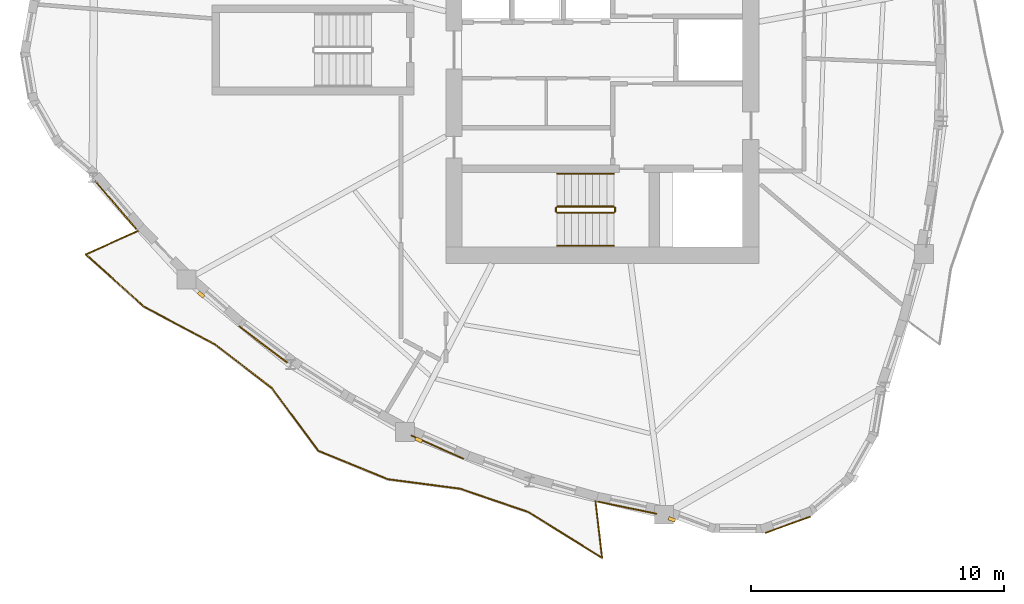
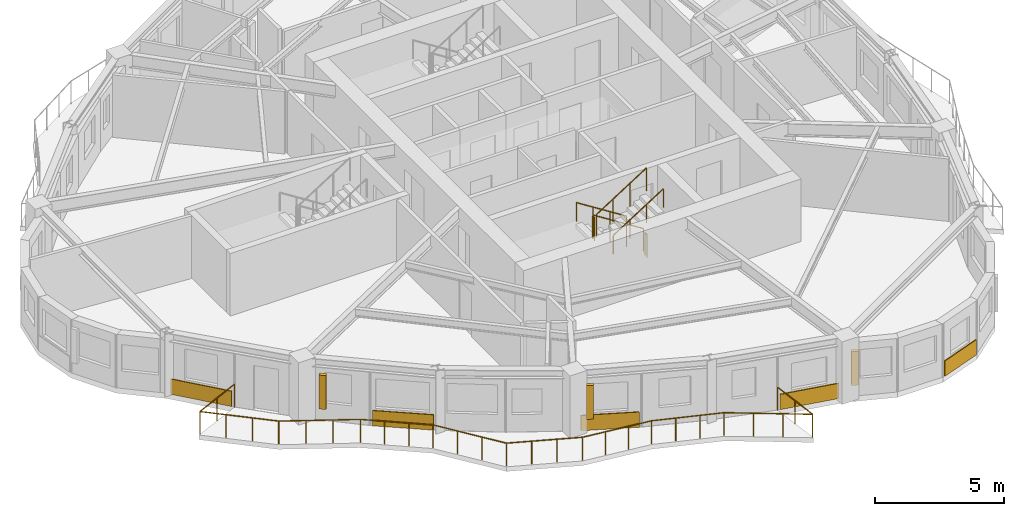
# One storey, part 8 of 11: 7 railings, 5 coverings, 3 shading devices.
"""IFC4 building model written with IfcOpenShell, lengths in metres."""

from ifc_helpers import new_model, si_unit, direction, frame, origin, origin_2d, place, context, subcontext, project, spatial, rectangle, circle, extrude, source, transform, mapped, material, layer, layer_set, type_object, element, save


model = new_model("IFC4")

# Units and contexts
model_context = context("Model", 3, precision=1e-05, world=origin(), true_north=direction((0.0, 1.0)))
body_context = subcontext(model_context, "Body", "Model", "MODEL_VIEW")
ifc_project = project(units=[si_unit("LENGTHUNIT", "METRE"), si_unit("AREAUNIT", "SQUARE_METRE"), si_unit("VOLUMEUNIT", "CUBIC_METRE"), si_unit("PLANEANGLEUNIT", "RADIAN"), si_unit("MASSUNIT", "GRAM", prefix="KILO")], contexts=[model_context])

# Site, building, storey
site_placement = place(None, origin())
site = spatial("IfcSite", under=ifc_project, at=site_placement, CompositionType="ELEMENT")
building_placement = place(site_placement, origin())
building = spatial("IfcBuilding", under=site, at=building_placement, Name="Qafzar Sky-Pleat Residences", CompositionType="ELEMENT")
storey_placement = place(building_placement, frame((0.0, 0.0, 168.199951171875)))
storey = spatial("IfcBuildingStorey", under=building, at=storey_placement, Name="L50", CompositionType="ELEMENT", Elevation=168.199951171875)

# Shading devices
ifc_material_1 = material(Name="Honed Riyadh limestone solar fin", Category="masonry")
ifc_layer_1 = layer(ifc_material_1, 0.139892578125)
ifc_layer_set_1 = layer_set([ifc_layer_1], Name="Honed Riyadh limestone solar fin")
shading_device_type = type_object("IfcShadingDeviceType", Name="SHD-FIN-STONE", PredefinedType="SHUTTER", material=ifc_layer_set_1)
shared_shape_1 = source(origin(), body_context, "Body", "SweptSolid", [
    extrude(rectangle(XDim=0.139892578125, YDim=0.280029296875, at=origin_2d()), origin(), (0.0, 0.0, 1.0), 1.60009765625),
])
for number, where, z_axis, x_axis, name in (
    (1, (14.465576171875, 16.3134765625, 0.60009765625), (0.0, 0.0, 1.0), (-0.660161310777, -0.751123853804, 0.0), "L50 Limestone Solar Fin 9"),
    (2, (23.079833984375, 10.56201171875, 0.60009765625), (0.0, 0.0, 1.0), (-0.407531944701, -0.91319095158, 0.0), "L50 Limestone Solar Fin 13"),
    (3, (33.09765625, 7.418212890625, 0.60009765625), (0.0, 0.0, 1.0), (-0.349591808799, -0.936902111867, 0.0), "L50 Limestone Solar Fin 17"),
):
    element("IfcShadingDevice", number, at=place(storey_placement, frame(where, z_axis=z_axis, x_axis=x_axis)), inside=storey, type_object=shading_device_type, Name=name, PredefinedType="SHUTTER", context=body_context, shape_type="MappedRepresentation", body=[
        mapped(shared_shape_1, transform((0.0, 0.0, 0.0), x_axis=(1.0, 0.0, 0.0), y_axis=(0.0, 1.0, 0.0), z_axis=(0.0, 0.0, 1.0), scale=1.0)),
    ])

# Covering
ifc_material_2 = material(Name="Honed Riyadh Tuwaiq limestone cladding", Category="masonry")
ifc_layer_2 = layer(ifc_material_2, 0.044921875)
ifc_layer_set_2 = layer_set([ifc_layer_2], Name="Honed Riyadh Tuwaiq limestone cladding")
covering_type = type_object("IfcCoveringType", Name="COV-CLAD-STONE", PredefinedType="CLADDING", material=ifc_layer_set_2)
shared_shape_2 = source(origin(), body_context, "Body", "SweptSolid", [
    extrude(rectangle(XDim=1.89794921875, YDim=0.044921875, at=origin_2d()), origin(), (0.0, 0.0, 1.0), 0.719970703125),
])
covering_1_placement = place(storey_placement, frame((37.690185546875, 7.207275390625, 0.02001953125), z_axis=(0.0, 0.0, 1.0), x_axis=(0.940231559433, 0.340535775867, 0.0)))
element("IfcCovering", 4, at=covering_1_placement, inside=storey, type_object=covering_type, Name="L50 Riyadh Limestone Spandrel Cladding 19", PredefinedType="CLADDING", context=body_context, shape_type="MappedRepresentation", body=[
    mapped(shared_shape_2, transform((0.0, 0.0, 0.0), x_axis=(1.0, 0.0, 0.0), y_axis=(0.0, 1.0, 0.0), z_axis=(0.0, 0.0, 1.0), scale=1.0)),
])

# Railing
ifc_material_3 = material(Name="Laminated glass and bronze steel balustrade", Category="steel")
railing_type_1 = type_object("IfcRailingType", Name="RAIL-BAL-1100", PredefinedType="BALUSTRADE", material=ifc_material_3)
shared_shape_3 = source(origin(), body_context, "Body", "SweptSolid", [
    extrude(circle(Radius=0.02392578125, at=origin_2d()), frame((0.0, 0.0, 1.076171875), z_axis=(-0.912922636526, -0.408132649659, 0.0), x_axis=(0.408132649659, -0.912922636526, 0.0)), (0.0, 0.0, 1.0), 2.270751953125),
    extrude(circle(Radius=0.02392578125, at=origin_2d()), frame((-2.072998046875, -0.9267578125, 1.076171875), z_axis=(0.743753716081, -0.668453745458, 0.0), x_axis=(0.668453745458, 0.743753716081, 0.0)), (0.0, 0.0, 1.0), 3.11572265625),
    extrude(circle(Radius=0.02392578125, at=origin_2d()), frame((0.244384765625, -3.009521484375, 1.076171875), z_axis=(0.883585037441, -0.468270735376, 0.0), x_axis=(0.468270735376, 0.883585037441, 0.0)), (0.0, 0.0, 1.0), 3.16259765625),
    extrude(circle(Radius=0.02392578125, at=origin_2d()), frame((3.038818359375, -4.490478515625, 1.076171875), z_axis=(0.793401199047, -0.608699053187, 0.0), x_axis=(0.608699053187, 0.793401199047, 0.0)), (0.0, 0.0, 1.0), 2.835205078125),
    extrude(circle(Radius=0.02392578125, at=origin_2d()), frame((5.288330078125, -6.21630859375, 1.076171875), z_axis=(0.594930822966, -0.803776906788, 0.0), x_axis=(0.803776906788, 0.594930822966, 0.0)), (0.0, 0.0, 1.0), 3.089599609375),
    extrude(circle(Radius=0.02392578125, at=origin_2d()), frame((7.12646484375, -8.69970703125, 1.076171875), z_axis=(0.925110963118, -0.379696860561, 0.0), x_axis=(0.379696860561, 0.925110963118, 0.0)), (0.0, 0.0, 1.0), 2.974365234375),
    extrude(circle(Radius=0.02392578125, at=origin_2d()), frame((9.878173828125, -9.8291015625, 1.076171875), z_axis=(0.991578756407, -0.129505095813, 0.0), x_axis=(0.129505095813, 0.991578756407, 0.0)), (0.0, 0.0, 1.0), 2.893798828125),
    extrude(circle(Radius=0.02392578125, at=origin_2d()), frame((12.74755859375, -10.203857421875, 1.076171875), z_axis=(0.945899410668, -0.324460020493, 0.0), x_axis=(0.324460020493, 0.945899410668, 0.0)), (0.0, 0.0, 1.0), 2.851806640625),
    extrude(circle(Radius=0.02392578125, at=origin_2d()), frame((15.445068359375, -11.129150390625, 1.076171875), z_axis=(0.849532496747, -0.52753628972, 0.0), x_axis=(0.52753628972, 0.849532496747, 0.0)), (0.0, 0.0, 1.0), 3.433837890625),
    extrude(circle(Radius=0.02392578125, at=origin_2d()), frame((18.3623046875, -12.940673828125, 1.076171875), z_axis=(-0.11536270651, 0.993323434711, 0.0), x_axis=(-0.993323434711, -0.11536270651, 0.0)), (0.0, 0.0, 1.0), 2.270751953125),
    extrude(circle(Radius=0.02099609375, at=origin_2d()), origin(), (0.0, 0.0, 1.0), 1.052001953125),
    extrude(circle(Radius=0.02099609375, at=origin_2d()), frame((-1.03662109375, -0.46337890625, 0.0)), (0.0, 0.0, 1.0), 1.052001953125),
    extrude(circle(Radius=0.02099609375, at=origin_2d()), frame((-2.072998046875, -0.9267578125, 0.0)), (0.0, 0.0, 1.0), 1.052001953125),
    extrude(circle(Radius=0.02099609375, at=origin_2d()), frame((-1.300537109375, -1.62109375, 0.0)), (0.0, 0.0, 1.0), 1.052001953125),
    extrude(circle(Radius=0.02099609375, at=origin_2d()), frame((-0.528076171875, -2.315185546875, 0.0)), (0.0, 0.0, 1.0), 1.052001953125),
    extrude(circle(Radius=0.02099609375, at=origin_2d()), frame((0.244384765625, -3.009521484375, 0.0)), (0.0, 0.0, 1.0), 1.052001953125),
    extrude(circle(Radius=0.02099609375, at=origin_2d()), frame((1.17578125, -3.503173828125, 0.0)), (0.0, 0.0, 1.0), 1.052001953125),
    extrude(circle(Radius=0.02099609375, at=origin_2d()), frame((2.107421875, -3.996826171875, 0.0)), (0.0, 0.0, 1.0), 1.052001953125),
    extrude(circle(Radius=0.02099609375, at=origin_2d()), frame((3.038818359375, -4.490478515625, 0.0)), (0.0, 0.0, 1.0), 1.052001953125),
    extrude(circle(Radius=0.02099609375, at=origin_2d()), frame((3.78857421875, -5.065673828125, 0.0)), (0.0, 0.0, 1.0), 1.052001953125),
    extrude(circle(Radius=0.02099609375, at=origin_2d()), frame((4.53857421875, -5.64111328125, 0.0)), (0.0, 0.0, 1.0), 1.052001953125),
    extrude(circle(Radius=0.02099609375, at=origin_2d()), frame((5.288330078125, -6.21630859375, 0.0)), (0.0, 0.0, 1.0), 1.052001953125),
    extrude(circle(Radius=0.02099609375, at=origin_2d()), frame((5.901123046875, -7.044189453125, 0.0)), (0.0, 0.0, 1.0), 1.052001953125),
    extrude(circle(Radius=0.02099609375, at=origin_2d()), frame((6.513671875, -7.871826171875, 0.0)), (0.0, 0.0, 1.0), 1.052001953125),
    extrude(circle(Radius=0.02099609375, at=origin_2d()), frame((7.12646484375, -8.69970703125, 0.0)), (0.0, 0.0, 1.0), 1.052001953125),
    extrude(circle(Radius=0.02099609375, at=origin_2d()), frame((8.043701171875, -9.076171875, 0.0)), (0.0, 0.0, 1.0), 1.052001953125),
    extrude(circle(Radius=0.02099609375, at=origin_2d()), frame((8.9609375, -9.45263671875, 0.0)), (0.0, 0.0, 1.0), 1.052001953125),
    extrude(circle(Radius=0.02099609375, at=origin_2d()), frame((9.878173828125, -9.8291015625, 0.0)), (0.0, 0.0, 1.0), 1.052001953125),
    extrude(circle(Radius=0.02099609375, at=origin_2d()), frame((10.834716796875, -9.9541015625, 0.0)), (0.0, 0.0, 1.0), 1.052001953125),
    extrude(circle(Radius=0.02099609375, at=origin_2d()), frame((11.791015625, -10.078857421875, 0.0)), (0.0, 0.0, 1.0), 1.052001953125),
    extrude(circle(Radius=0.02099609375, at=origin_2d()), frame((12.74755859375, -10.203857421875, 0.0)), (0.0, 0.0, 1.0), 1.052001953125),
    extrude(circle(Radius=0.02099609375, at=origin_2d()), frame((13.646728515625, -10.51220703125, 0.0)), (0.0, 0.0, 1.0), 1.052001953125),
    extrude(circle(Radius=0.02099609375, at=origin_2d()), frame((14.5458984375, -10.82080078125, 0.0)), (0.0, 0.0, 1.0), 1.052001953125),
    extrude(circle(Radius=0.02099609375, at=origin_2d()), frame((15.445068359375, -11.129150390625, 0.0)), (0.0, 0.0, 1.0), 1.052001953125),
    extrude(circle(Radius=0.02099609375, at=origin_2d()), frame((16.41748046875, -11.73291015625, 0.0)), (0.0, 0.0, 1.0), 1.052001953125),
    extrude(circle(Radius=0.02099609375, at=origin_2d()), frame((17.389892578125, -12.3369140625, 0.0)), (0.0, 0.0, 1.0), 1.052001953125),
    extrude(circle(Radius=0.02099609375, at=origin_2d()), frame((18.3623046875, -12.940673828125, 0.0)), (0.0, 0.0, 1.0), 1.052001953125),
    extrude(circle(Radius=0.02099609375, at=origin_2d()), frame((18.2314453125, -11.81298828125, 0.0)), (0.0, 0.0, 1.0), 1.052001953125),
    extrude(circle(Radius=0.02099609375, at=origin_2d()), frame((18.100341796875, -10.68505859375, 0.0)), (0.0, 0.0, 1.0), 1.052001953125),
])
railing_1_placement = place(storey_placement, frame((11.973388671875, 18.8369140625, 0.0)))
element("IfcRailing", 5, at=railing_1_placement, inside=storey, type_object=railing_type_1, Name="L50 Pleated Balcony 3 Balustrade", PredefinedType="BALUSTRADE", context=body_context, shape_type="MappedRepresentation", body=[
    mapped(shared_shape_3, transform((0.0, 0.0, 0.0), x_axis=(1.0, 0.0, 0.0), y_axis=(0.0, 1.0, 0.0), z_axis=(0.0, 0.0, 1.0), scale=1.0)),
])

# Coverings
shared_shape_4 = source(origin(), body_context, "Body", "SweptSolid", [
    extrude(rectangle(XDim=2.513671875, YDim=0.044921875, at=origin_2d()), origin(), (0.0, 0.0, 1.0), 0.719970703125),
])
covering_2_placement = place(storey_placement, frame((11.08447265625, 19.859375, 0.02001953125), z_axis=(0.0, 0.0, 1.0), x_axis=(0.650295858087, -0.75968104949, 0.0)))
element("IfcCovering", 6, at=covering_2_placement, inside=storey, type_object=covering_type, Name="L50 Riyadh Limestone Spandrel Cladding 7", PredefinedType="CLADDING", context=body_context, shape_type="MappedRepresentation", body=[
    mapped(shared_shape_4, transform((0.0, 0.0, 0.0), x_axis=(1.0, 0.0, 0.0), y_axis=(0.0, 1.0, 0.0), z_axis=(0.0, 0.0, 1.0), scale=1.0)),
])
shared_shape_5 = source(origin(), body_context, "Body", "SweptSolid", [
    extrude(rectangle(XDim=2.39453125, YDim=0.044921875, at=origin_2d()), origin(), (0.0, 0.0, 1.0), 0.719970703125),
])
covering_3_placement = place(storey_placement, frame((16.915771484375, 14.344970703125, 0.02001953125), z_axis=(0.0, 0.0, 1.0), x_axis=(0.798011120233, -0.602642723332, 0.0)))
element("IfcCovering", 7, at=covering_3_placement, inside=storey, type_object=covering_type, Name="L50 Riyadh Limestone Spandrel Cladding 10", PredefinedType="CLADDING", context=body_context, shape_type="MappedRepresentation", body=[
    mapped(shared_shape_5, transform((0.0, 0.0, 0.0), x_axis=(1.0, 0.0, 0.0), y_axis=(0.0, 1.0, 0.0), z_axis=(0.0, 0.0, 1.0), scale=1.0)),
])
shared_shape_6 = source(origin(), body_context, "Body", "SweptSolid", [
    extrude(rectangle(XDim=2.27294921875, YDim=0.044921875, at=origin_2d()), origin(), (0.0, 0.0, 1.0), 0.719970703125),
])
covering_4_placement = place(storey_placement, frame((23.814208984375, 10.281494140625, 0.02001953125), z_axis=(0.0, 0.0, 1.0), x_axis=(0.913196566474, -0.407519362705, 0.0)))
element("IfcCovering", 8, at=covering_4_placement, inside=storey, type_object=covering_type, Name="L50 Riyadh Limestone Spandrel Cladding 13", PredefinedType="CLADDING", context=body_context, shape_type="MappedRepresentation", body=[
    mapped(shared_shape_6, transform((0.0, 0.0, 0.0), x_axis=(1.0, 0.0, 0.0), y_axis=(0.0, 1.0, 0.0), z_axis=(0.0, 0.0, 1.0), scale=1.0)),
])
shared_shape_7 = source(origin(), body_context, "Body", "SweptSolid", [
    extrude(rectangle(XDim=2.39208984375, YDim=0.044921875, at=origin_2d()), origin(), (0.0, 0.0, 1.0), 0.719970703125),
])
covering_5_placement = place(storey_placement, frame((31.33203125, 7.881103515625, 0.02001953125), z_axis=(0.0, 0.0, 1.0), x_axis=(0.979307497753, -0.202377925784, 0.0)))
element("IfcCovering", 9, at=covering_5_placement, inside=storey, type_object=covering_type, Name="L50 Riyadh Limestone Spandrel Cladding 16", PredefinedType="CLADDING", context=body_context, shape_type="MappedRepresentation", body=[
    mapped(shared_shape_7, transform((0.0, 0.0, 0.0), x_axis=(1.0, 0.0, 0.0), y_axis=(0.0, 1.0, 0.0), z_axis=(0.0, 0.0, 1.0), scale=1.0)),
])

# Railings
ifc_material_4 = material(Name="Painted Steel S355 stair guardrail", Category="steel")
railing_type_2 = type_object("IfcRailingType", Name="RAIL-STAIR-GUARD", PredefinedType="GUARDRAIL", material=ifc_material_4)
shared_shape_8 = source(origin(), body_context, "Body", "SweptSolid", [
    extrude(circle(Radius=0.02392578125, at=origin_2d()), frame((0.0, 0.0, 1.076171875), z_axis=(0.0, -1.0, 0.0), x_axis=(1.0, 0.0, 0.0)), (0.0, 0.0, 1.0), 0.14990234375),
    extrude(circle(Radius=0.02099609375, at=origin_2d()), origin(), (0.0, 0.0, 1.0), 1.052001953125),
    extrude(circle(Radius=0.02099609375, at=origin_2d()), frame((0.0, -0.14990234375, 0.0)), (0.0, 0.0, 1.0), 1.052001953125),
])
for number, where, name in (
    (10, (28.510009765625, 19.75, 1.60009765625), "L50 ST1 stair guard 2"),
    (11, (30.85009765625, 19.75, 0.0), "L50 ST1 stair guard 4"),
):
    element("IfcRailing", number, at=place(storey_placement, frame(where)), inside=storey, type_object=railing_type_2, Name=name, PredefinedType="GUARDRAIL", context=body_context, shape_type="MappedRepresentation", body=[
        mapped(shared_shape_8, transform((0.0, 0.0, 0.0), x_axis=(1.0, 0.0, 0.0), y_axis=(0.0, 1.0, 0.0), z_axis=(0.0, 0.0, 1.0), scale=1.0)),
    ])
shared_shape_9 = source(origin(), body_context, "Body", "SweptSolid", [
    extrude(circle(Radius=0.02392578125, at=origin_2d()), frame((0.0, 0.0, 1.076171875), z_axis=(0.8442293374, 0.0, 0.53598211339), x_axis=(0.0, 1.0, 0.0)), (0.0, 0.0, 1.0), 2.6533203125),
    extrude(circle(Radius=0.02099609375, at=origin_2d()), origin(), (0.0, 0.0, 1.0), 1.052001953125),
    extrude(circle(Radius=0.02099609375, at=origin_2d()), frame((0.74658203125, 0.0, 0.47412109375)), (0.0, 0.0, 1.0), 1.052001953125),
    extrude(circle(Radius=0.02099609375, at=origin_2d()), frame((1.493408203125, 0.0, 0.947998046875)), (0.0, 0.0, 1.0), 1.052001953125),
    extrude(circle(Radius=0.02099609375, at=origin_2d()), frame((2.239990234375, 0.0, 1.422119140625)), (0.0, 0.0, 1.0), 1.052001953125),
])
railing_2_placement = place(storey_placement, frame((28.56005859375, 19.550048828125, 1.77783203125)))
element("IfcRailing", 12, at=railing_2_placement, inside=storey, type_object=railing_type_2, Name="L50 ST1 stair guard 3", PredefinedType="GUARDRAIL", context=body_context, shape_type="MappedRepresentation", body=[
    mapped(shared_shape_9, transform((0.0, 0.0, 0.0), x_axis=(1.0, 0.0, 0.0), y_axis=(0.0, 1.0, 0.0), z_axis=(0.0, 0.0, 1.0), scale=1.0)),
])
ifc_material_5 = material(Name="Brushed stainless steel handrail", Category="steel")
railing_type_3 = type_object("IfcRailingType", Name="RAIL-STAIR-HAND", PredefinedType="HANDRAIL", material=ifc_material_5)
shared_shape_10 = source(origin(), body_context, "Body", "SweptSolid", [
    extrude(circle(Radius=0.02392578125, at=origin_2d()), frame((0.0, 0.0, 0.8759765625), z_axis=(0.8442293374, 0.0, 0.53598211339), x_axis=(0.0, 1.0, 0.0)), (0.0, 0.0, 1.0), 2.6533203125),
    extrude(circle(Radius=0.02099609375, at=origin_2d()), origin(), (0.0, 0.0, 1.0), 0.851806640625),
    extrude(circle(Radius=0.02099609375, at=origin_2d()), frame((0.74658203125, 0.0, 0.47412109375)), (0.0, 0.0, 1.0), 0.851806640625),
    extrude(circle(Radius=0.02099609375, at=origin_2d()), frame((1.493408203125, 0.0, 0.947998046875)), (0.0, 0.0, 1.0), 0.851806640625),
    extrude(circle(Radius=0.02099609375, at=origin_2d()), frame((2.239990234375, 0.0, 1.422119140625)), (0.0, 0.0, 1.0), 0.851806640625),
])
railing_3_placement = place(storey_placement, frame((28.56005859375, 18.25, 1.77783203125)))
element("IfcRailing", 13, at=railing_3_placement, inside=storey, type_object=railing_type_3, Name="L50 ST1 stair handrail 2", PredefinedType="HANDRAIL", context=body_context, shape_type="MappedRepresentation", body=[
    mapped(shared_shape_10, transform((0.0, 0.0, 0.0), x_axis=(1.0, 0.0, 0.0), y_axis=(0.0, 1.0, 0.0), z_axis=(0.0, 0.0, 1.0), scale=1.0)),
])
shared_shape_11 = source(origin(), body_context, "Body", "SweptSolid", [
    extrude(circle(Radius=0.02392578125, at=origin_2d()), frame((0.0, 0.0, 1.076171875), z_axis=(-0.84418770128, 0.0, 0.536047689118), x_axis=(0.0, -1.0, 0.0)), (0.0, 0.0, 1.0), 2.6533203125),
    extrude(circle(Radius=0.02099609375, at=origin_2d()), origin(), (0.0, 0.0, 1.0), 1.052001953125),
    extrude(circle(Radius=0.02099609375, at=origin_2d()), frame((-0.74658203125, 0.0, 0.47412109375)), (0.0, 0.0, 1.0), 1.052001953125),
    extrude(circle(Radius=0.02099609375, at=origin_2d()), frame((-1.493408203125, 0.0, 0.9482421875)), (0.0, 0.0, 1.0), 1.052001953125),
    extrude(circle(Radius=0.02099609375, at=origin_2d()), frame((-2.239990234375, 0.0, 1.42236328125)), (0.0, 0.0, 1.0), 1.052001953125),
])
railing_4_placement = place(storey_placement, frame((30.800048828125, 19.800048828125, 0.177734375)))
element("IfcRailing", 14, at=railing_4_placement, inside=storey, type_object=railing_type_2, Name="L50 ST1 stair guard 1", PredefinedType="GUARDRAIL", context=body_context, shape_type="MappedRepresentation", body=[
    mapped(shared_shape_11, transform((0.0, 0.0, 0.0), x_axis=(1.0, 0.0, 0.0), y_axis=(0.0, 1.0, 0.0), z_axis=(0.0, 0.0, 1.0), scale=1.0)),
])
shared_shape_12 = source(origin(), body_context, "Body", "SweptSolid", [
    extrude(circle(Radius=0.02392578125, at=origin_2d()), frame((0.0, 0.0, 0.8759765625), z_axis=(-0.84418770128, 0.0, 0.536047689118), x_axis=(0.0, -1.0, 0.0)), (0.0, 0.0, 1.0), 2.6533203125),
    extrude(circle(Radius=0.02099609375, at=origin_2d()), origin(), (0.0, 0.0, 1.0), 0.851806640625),
    extrude(circle(Radius=0.02099609375, at=origin_2d()), frame((-0.74658203125, 0.0, 0.47412109375)), (0.0, 0.0, 1.0), 0.851806640625),
    extrude(circle(Radius=0.02099609375, at=origin_2d()), frame((-1.493408203125, 0.0, 0.9482421875)), (0.0, 0.0, 1.0), 0.851806640625),
    extrude(circle(Radius=0.02099609375, at=origin_2d()), frame((-2.239990234375, 0.0, 1.42236328125)), (0.0, 0.0, 1.0), 0.851806640625),
])
railing_5_placement = place(storey_placement, frame((30.800048828125, 21.10009765625, 0.177734375)))
element("IfcRailing", 15, at=railing_5_placement, inside=storey, type_object=railing_type_3, Name="L50 ST1 stair handrail 1", PredefinedType="HANDRAIL", context=body_context, shape_type="MappedRepresentation", body=[
    mapped(shared_shape_12, transform((0.0, 0.0, 0.0), x_axis=(1.0, 0.0, 0.0), y_axis=(0.0, 1.0, 0.0), z_axis=(0.0, 0.0, 1.0), scale=1.0)),
])

save(model, "model.ifc")
